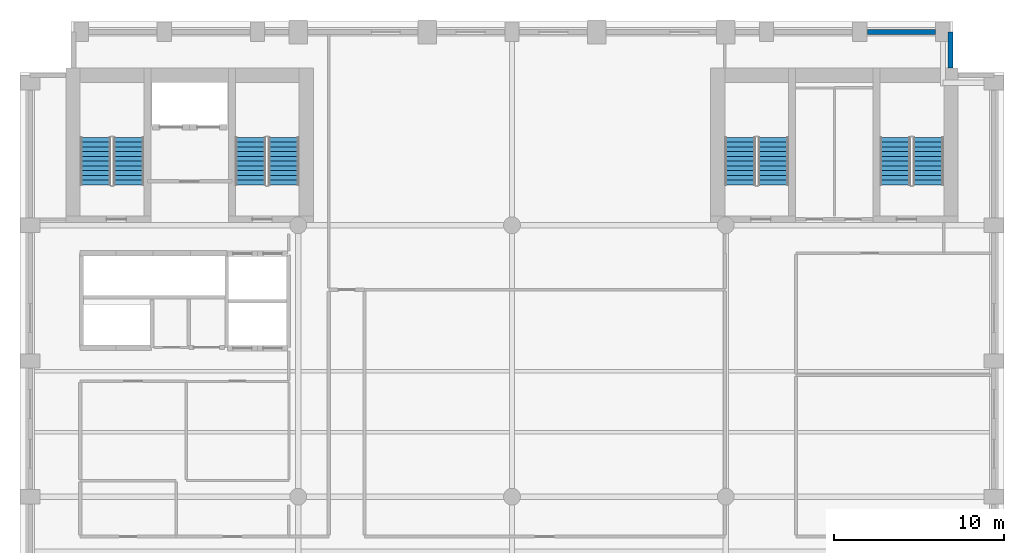
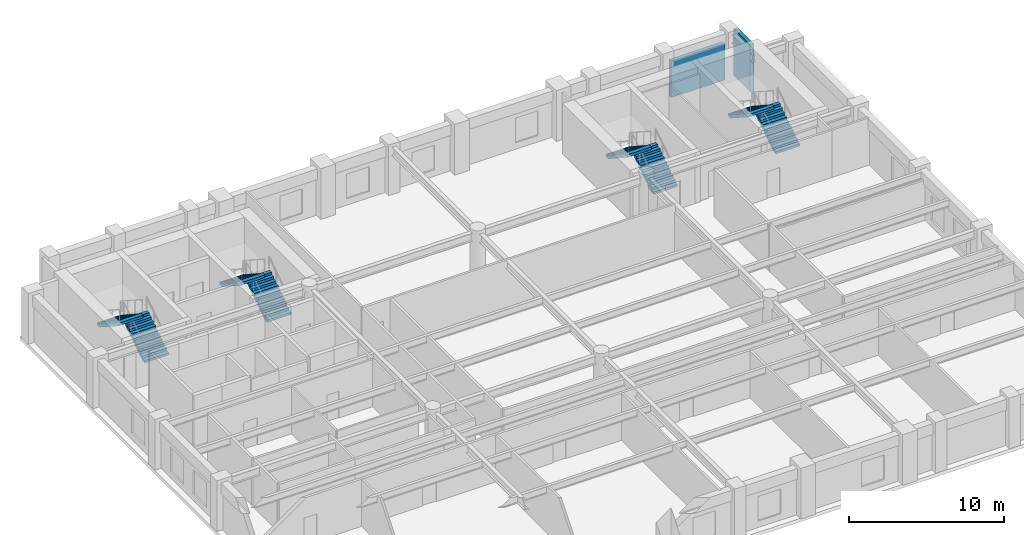
# One storey, part 6 of 8: 8 stair flights, 2 walls, 4 elements without a shape of their own.
"""IFC4 building model written with IfcOpenShell, lengths in metres."""

from ifc_helpers import new_model, si_unit, direction, frame, frame_2d, origin, place, context, subcontext, project, spatial, polyline, rectangle, outline, extrude, material, layer, layer_set, type_object, element, aggregate, save


model = new_model("IFC4")

# Units and contexts
model_context = context("Model", 3, precision=1e-05, world=origin(), true_north=direction((0.0, 1.0)))
body_context = subcontext(model_context, "Body", "Model", "MODEL_VIEW")
ifc_project = project(units=[si_unit("LENGTHUNIT", "METRE"), si_unit("AREAUNIT", "SQUARE_METRE"), si_unit("VOLUMEUNIT", "CUBIC_METRE"), si_unit("PLANEANGLEUNIT", "RADIAN"), si_unit("MASSUNIT", "GRAM", prefix="KILO")], contexts=[model_context])

# Site, building, storey
site_placement = place(None, origin())
site = spatial("IfcSite", under=ifc_project, at=site_placement, CompositionType="ELEMENT")
building_placement = place(site_placement, origin())
building = spatial("IfcBuilding", under=site, at=building_placement, Name="Sulina Concourse Tower", CompositionType="ELEMENT")
storey_placement = place(building_placement, frame((0.0, 0.0, 104.60009765625)))
storey = spatial("IfcBuildingStorey", under=building, at=storey_placement, Name="L25", CompositionType="ELEMENT", Elevation=104.60009765625)

# Walls
ifc_material_1 = material(Name="Precast concrete C50/60", Category="concrete")
ifc_layer = layer(ifc_material_1, 0.280029296875)
ifc_layer_set = layer_set([ifc_layer], Name="Precast concrete C50/60")
wall_type = type_object("IfcWallType", Name="Typical Precast Masonry-Frame Facade Wall 280mm", PredefinedType="SOLIDWALL", material=ifc_layer_set)
wall_1_placement = place(storey_placement, frame((49.945068359375, 45.39990234375, 0.0), z_axis=(0.0, 0.0, 1.0), x_axis=(1.0, 0.0, 0.0)))
element("IfcWall", 1, at=wall_1_placement, inside=storey, type_object=wall_type, Name="L25 exterior precast wall N10", PredefinedType="SOLIDWALL", context=body_context, shape_type="SweptSolid", body=[
    extrude(rectangle(XDim=4.010009765625, YDim=0.280029296875, at=frame_2d((2.0048828125, 0.0))), origin(), (0.0, 0.0, 1.0), 2.875),
])
wall_2_placement = place(storey_placement, frame((54.844970703125, 45.39990234375, 0.0), z_axis=(0.0, 0.0, 1.0), x_axis=(0.0, -1.0, 0.0)))
element("IfcWall", 2, at=wall_2_placement, inside=storey, type_object=wall_type, Name="L25 exterior precast wall CNE1", PredefinedType="SOLIDWALL", context=body_context, shape_type="SweptSolid", body=[
    extrude(rectangle(XDim=2.114990234375, YDim=0.280029296875, at=frame_2d((1.0576171875, 0.0))), origin(), (0.0, 0.0, 1.0), 3.724853515625),
])

# Stair, stair flights
ifc_material_2 = material(Name="Concrete C50/60", Category="concrete")
stair_type_1 = type_object("IfcStairType", Name="Portal & Podium Core Exit Stair 1820mm", PredefinedType="HALF_TURN_STAIR", material=ifc_material_2)
stair_1_placement = place(storey_placement, origin())
stair_1 = element("IfcStair", 3, at=stair_1_placement, inside=storey, type_object=stair_type_1, Name="L25 ST-3", PredefinedType="HALF_TURN_STAIR")
ifc_material_3 = material(Name="Concrete C50/60", Category="concrete")
stair_flight_type_1 = type_object("IfcStairFlightType", Name="Portal & Podium Core Exit Stair 1820mm Flight", PredefinedType="STRAIGHT", material=ifc_material_3)
stair_flight_1_placement = place(storey_placement, frame((44.405029296875, 36.375, 0.0), z_axis=(0.0, 0.0, 1.0), x_axis=(0.0, 1.0, 0.0)))
stair_flight_1 = element("IfcStairFlight", 4, at=stair_flight_1_placement, type_object=stair_flight_type_1, Name="ST-3 flight 1", NumberOfRisers=11, NumberOfTreads=10, PredefinedType="STRAIGHT", RiserHeight=0.181818182, TreadLength=0.28, context=body_context, shape_type="SweptSolid", body=[
    extrude(outline(polyline([(0.0, 0.0), (0.0, 0.181884765625), (0.280029296875, 0.181884765625), (0.280029296875, 0.363525390625), (0.56005859375, 0.363525390625), (0.56005859375, 0.54541015625), (0.840087890625, 0.54541015625), (0.840087890625, 0.727294921875), (1.1201171875, 0.727294921875), (1.1201171875, 0.9091796875), (1.39990234375, 0.9091796875), (1.39990234375, 1.0908203125), (1.679931640625, 1.0908203125), (1.679931640625, 1.272705078125), (1.9599609375, 1.272705078125), (1.9599609375, 1.45458984375), (2.239990234375, 1.45458984375), (2.239990234375, 1.636474609375), (2.52001953125, 1.636474609375), (2.52001953125, 1.818115234375), (2.800048828125, 1.818115234375), (2.800048828125, 2.0), (2.800048828125, 1.603759765625), (0.330322265625, 0.0), (0.0, 0.0)])), frame((0.0, 0.89990234375, 0.0), z_axis=(0.0, -1.0, 0.0), x_axis=(1.0, 0.0, 0.0)), (0.0, 0.0, 1.0), 1.800048828125),
])
stair_flight_2_placement = place(storey_placement, frame((42.455078125, 39.175048828125, 2.0), z_axis=(0.0, 0.0, 1.0), x_axis=(0.0, -1.0, 0.0)))
stair_flight_2 = element("IfcStairFlight", 5, at=stair_flight_2_placement, type_object=stair_flight_type_1, Name="ST-3 flight 2", NumberOfRisers=11, NumberOfTreads=10, PredefinedType="STRAIGHT", RiserHeight=0.181818182, TreadLength=0.28, context=body_context, shape_type="SweptSolid", body=[
    extrude(outline(polyline([(0.0, 0.0), (0.0, 0.181884765625), (0.280029296875, 0.181884765625), (0.280029296875, 0.363525390625), (0.56005859375, 0.363525390625), (0.56005859375, 0.54541015625), (0.840087890625, 0.54541015625), (0.840087890625, 0.727294921875), (1.1201171875, 0.727294921875), (1.1201171875, 0.9091796875), (1.39990234375, 0.9091796875), (1.39990234375, 1.0908203125), (1.679931640625, 1.0908203125), (1.679931640625, 1.272705078125), (1.9599609375, 1.272705078125), (1.9599609375, 1.45458984375), (2.239990234375, 1.45458984375), (2.239990234375, 1.636474609375), (2.52001953125, 1.636474609375), (2.52001953125, 1.818115234375), (2.800048828125, 1.818115234375), (2.800048828125, 2.0), (2.800048828125, 1.603759765625), (0.330322265625, 0.0), (0.0, 0.0)])), frame((0.0, 0.89990234375, 0.0), z_axis=(0.0, -1.0, 0.0), x_axis=(1.0, 0.0, 0.0)), (0.0, 0.0, 1.0), 1.800048828125),
])
aggregate(stair_1, [stair_flight_1, stair_flight_2])

stair_2_placement = place(storey_placement, origin())
stair_2 = element("IfcStair", 6, at=stair_2_placement, inside=storey, type_object=stair_type_1, Name="L25 ST-4", PredefinedType="HALF_TURN_STAIR")
stair_flight_3_placement = place(storey_placement, frame((53.544921875, 36.375, 0.0), z_axis=(0.0, 0.0, 1.0), x_axis=(0.0, 1.0, 0.0)))
stair_flight_3 = element("IfcStairFlight", 7, at=stair_flight_3_placement, type_object=stair_flight_type_1, Name="ST-4 flight 1", NumberOfRisers=11, NumberOfTreads=10, PredefinedType="STRAIGHT", RiserHeight=0.181818182, TreadLength=0.28, context=body_context, shape_type="SweptSolid", body=[
    extrude(outline(polyline([(0.0, 0.0), (0.0, 0.181884765625), (0.280029296875, 0.181884765625), (0.280029296875, 0.363525390625), (0.56005859375, 0.363525390625), (0.56005859375, 0.54541015625), (0.840087890625, 0.54541015625), (0.840087890625, 0.727294921875), (1.1201171875, 0.727294921875), (1.1201171875, 0.9091796875), (1.39990234375, 0.9091796875), (1.39990234375, 1.0908203125), (1.679931640625, 1.0908203125), (1.679931640625, 1.272705078125), (1.9599609375, 1.272705078125), (1.9599609375, 1.45458984375), (2.239990234375, 1.45458984375), (2.239990234375, 1.636474609375), (2.52001953125, 1.636474609375), (2.52001953125, 1.818115234375), (2.800048828125, 1.818115234375), (2.800048828125, 2.0), (2.800048828125, 1.603759765625), (0.330322265625, 0.0), (0.0, 0.0)])), frame((0.0, 0.89990234375, 0.0), z_axis=(0.0, -1.0, 0.0), x_axis=(1.0, 0.0, 0.0)), (0.0, 0.0, 1.0), 1.800048828125),
])
stair_flight_4_placement = place(storey_placement, frame((51.594970703125, 39.175048828125, 2.0), z_axis=(0.0, 0.0, 1.0), x_axis=(0.0, -1.0, 0.0)))
stair_flight_4 = element("IfcStairFlight", 8, at=stair_flight_4_placement, type_object=stair_flight_type_1, Name="ST-4 flight 2", NumberOfRisers=11, NumberOfTreads=10, PredefinedType="STRAIGHT", RiserHeight=0.181818182, TreadLength=0.28, context=body_context, shape_type="SweptSolid", body=[
    extrude(outline(polyline([(0.0, 0.0), (0.0, 0.181884765625), (0.280029296875, 0.181884765625), (0.280029296875, 0.363525390625), (0.56005859375, 0.363525390625), (0.56005859375, 0.54541015625), (0.840087890625, 0.54541015625), (0.840087890625, 0.727294921875), (1.1201171875, 0.727294921875), (1.1201171875, 0.9091796875), (1.39990234375, 0.9091796875), (1.39990234375, 1.0908203125), (1.679931640625, 1.0908203125), (1.679931640625, 1.272705078125), (1.9599609375, 1.272705078125), (1.9599609375, 1.45458984375), (2.239990234375, 1.45458984375), (2.239990234375, 1.636474609375), (2.52001953125, 1.636474609375), (2.52001953125, 1.818115234375), (2.800048828125, 1.818115234375), (2.800048828125, 2.0), (2.800048828125, 1.603759765625), (0.330322265625, 0.0), (0.0, 0.0)])), frame((0.0, 0.89990234375, 0.0), z_axis=(0.0, -1.0, 0.0), x_axis=(1.0, 0.0, 0.0)), (0.0, 0.0, 1.0), 1.800048828125),
])
aggregate(stair_2, [stair_flight_3, stair_flight_4])

ifc_material_4 = material(Name="Concrete C50/60", Category="concrete")
stair_type_2 = type_object("IfcStairType", Name="Primary Core Dog-Leg Exit Stair 1800mm", PredefinedType="HALF_TURN_STAIR", material=ifc_material_4)
stair_3_placement = place(storey_placement, origin())
stair_3 = element("IfcStair", 9, at=stair_3_placement, inside=storey, type_object=stair_type_2, Name="L25 ST-1", PredefinedType="HALF_TURN_STAIR")
ifc_material_5 = material(Name="Concrete C50/60", Category="concrete")
stair_flight_type_2 = type_object("IfcStairFlightType", Name="Primary Core Dog-Leg Exit Stair 1800mm Flight", PredefinedType="STRAIGHT", material=ifc_material_5)
stair_flight_5_placement = place(storey_placement, frame((6.405029296875, 36.375, 0.0), z_axis=(0.0, 0.0, 1.0), x_axis=(0.0, 1.0, 0.0)))
stair_flight_5 = element("IfcStairFlight", 10, at=stair_flight_5_placement, type_object=stair_flight_type_2, Name="ST-1 flight 1", NumberOfRisers=11, NumberOfTreads=10, PredefinedType="STRAIGHT", RiserHeight=0.181818182, TreadLength=0.28, context=body_context, shape_type="SweptSolid", body=[
    extrude(outline(polyline([(0.0, 0.0), (0.0, 0.181884765625), (0.280029296875, 0.181884765625), (0.280029296875, 0.363525390625), (0.56005859375, 0.363525390625), (0.56005859375, 0.54541015625), (0.840087890625, 0.54541015625), (0.840087890625, 0.727294921875), (1.1201171875, 0.727294921875), (1.1201171875, 0.9091796875), (1.39990234375, 0.9091796875), (1.39990234375, 1.0908203125), (1.679931640625, 1.0908203125), (1.679931640625, 1.272705078125), (1.9599609375, 1.272705078125), (1.9599609375, 1.45458984375), (2.239990234375, 1.45458984375), (2.239990234375, 1.636474609375), (2.52001953125, 1.636474609375), (2.52001953125, 1.818115234375), (2.800048828125, 1.818115234375), (2.800048828125, 2.0), (2.800048828125, 1.603759765625), (0.330322265625, 0.0), (0.0, 0.0)])), frame((0.0, 0.89990234375, 0.0), z_axis=(0.0, -1.0, 0.0), x_axis=(1.0, 0.0, 0.0)), (0.0, 0.0, 1.0), 1.800048828125),
])
stair_flight_6_placement = place(storey_placement, frame((4.455078125, 39.175048828125, 2.0), z_axis=(0.0, 0.0, 1.0), x_axis=(0.0, -1.0, 0.0)))
stair_flight_6 = element("IfcStairFlight", 11, at=stair_flight_6_placement, type_object=stair_flight_type_2, Name="ST-1 flight 2", NumberOfRisers=11, NumberOfTreads=10, PredefinedType="STRAIGHT", RiserHeight=0.181818182, TreadLength=0.28, context=body_context, shape_type="SweptSolid", body=[
    extrude(outline(polyline([(0.0, 0.0), (0.0, 0.181884765625), (0.280029296875, 0.181884765625), (0.280029296875, 0.363525390625), (0.56005859375, 0.363525390625), (0.56005859375, 0.54541015625), (0.840087890625, 0.54541015625), (0.840087890625, 0.727294921875), (1.1201171875, 0.727294921875), (1.1201171875, 0.9091796875), (1.39990234375, 0.9091796875), (1.39990234375, 1.0908203125), (1.679931640625, 1.0908203125), (1.679931640625, 1.272705078125), (1.9599609375, 1.272705078125), (1.9599609375, 1.45458984375), (2.239990234375, 1.45458984375), (2.239990234375, 1.636474609375), (2.52001953125, 1.636474609375), (2.52001953125, 1.818115234375), (2.800048828125, 1.818115234375), (2.800048828125, 2.0), (2.800048828125, 1.603759765625), (0.330322265625, 0.0), (0.0, 0.0)])), frame((0.0, 0.89990234375, 0.0), z_axis=(0.0, -1.0, 0.0), x_axis=(1.0, 0.0, 0.0)), (0.0, 0.0, 1.0), 1.800048828125),
])
aggregate(stair_3, [stair_flight_5, stair_flight_6])

stair_4_placement = place(storey_placement, origin())
stair_4 = element("IfcStair", 12, at=stair_4_placement, inside=storey, type_object=stair_type_2, Name="L25 ST-2", PredefinedType="HALF_TURN_STAIR")
stair_flight_7_placement = place(storey_placement, frame((15.544921875, 36.375, 0.0), z_axis=(0.0, 0.0, 1.0), x_axis=(0.0, 1.0, 0.0)))
stair_flight_7 = element("IfcStairFlight", 13, at=stair_flight_7_placement, type_object=stair_flight_type_2, Name="ST-2 flight 1", NumberOfRisers=11, NumberOfTreads=10, PredefinedType="STRAIGHT", RiserHeight=0.181818182, TreadLength=0.28, context=body_context, shape_type="SweptSolid", body=[
    extrude(outline(polyline([(0.0, 0.0), (0.0, 0.181884765625), (0.280029296875, 0.181884765625), (0.280029296875, 0.363525390625), (0.56005859375, 0.363525390625), (0.56005859375, 0.54541015625), (0.840087890625, 0.54541015625), (0.840087890625, 0.727294921875), (1.1201171875, 0.727294921875), (1.1201171875, 0.9091796875), (1.39990234375, 0.9091796875), (1.39990234375, 1.0908203125), (1.679931640625, 1.0908203125), (1.679931640625, 1.272705078125), (1.9599609375, 1.272705078125), (1.9599609375, 1.45458984375), (2.239990234375, 1.45458984375), (2.239990234375, 1.636474609375), (2.52001953125, 1.636474609375), (2.52001953125, 1.818115234375), (2.800048828125, 1.818115234375), (2.800048828125, 2.0), (2.800048828125, 1.603759765625), (0.330322265625, 0.0), (0.0, 0.0)])), frame((0.0, 0.89990234375, 0.0), z_axis=(0.0, -1.0, 0.0), x_axis=(1.0, 0.0, 0.0)), (0.0, 0.0, 1.0), 1.800048828125),
])
stair_flight_8_placement = place(storey_placement, frame((13.594970703125, 39.175048828125, 2.0), z_axis=(0.0, 0.0, 1.0), x_axis=(0.0, -1.0, 0.0)))
stair_flight_8 = element("IfcStairFlight", 14, at=stair_flight_8_placement, type_object=stair_flight_type_2, Name="ST-2 flight 2", NumberOfRisers=11, NumberOfTreads=10, PredefinedType="STRAIGHT", RiserHeight=0.181818182, TreadLength=0.28, context=body_context, shape_type="SweptSolid", body=[
    extrude(outline(polyline([(0.0, 0.0), (0.0, 0.181884765625), (0.280029296875, 0.181884765625), (0.280029296875, 0.363525390625), (0.56005859375, 0.363525390625), (0.56005859375, 0.54541015625), (0.840087890625, 0.54541015625), (0.840087890625, 0.727294921875), (1.1201171875, 0.727294921875), (1.1201171875, 0.9091796875), (1.39990234375, 0.9091796875), (1.39990234375, 1.0908203125), (1.679931640625, 1.0908203125), (1.679931640625, 1.272705078125), (1.9599609375, 1.272705078125), (1.9599609375, 1.45458984375), (2.239990234375, 1.45458984375), (2.239990234375, 1.636474609375), (2.52001953125, 1.636474609375), (2.52001953125, 1.818115234375), (2.800048828125, 1.818115234375), (2.800048828125, 2.0), (2.800048828125, 1.603759765625), (0.330322265625, 0.0), (0.0, 0.0)])), frame((0.0, 0.89990234375, 0.0), z_axis=(0.0, -1.0, 0.0), x_axis=(1.0, 0.0, 0.0)), (0.0, 0.0, 1.0), 1.800048828125),
])
aggregate(stair_4, [stair_flight_7, stair_flight_8])

save(model, "model.ifc")
